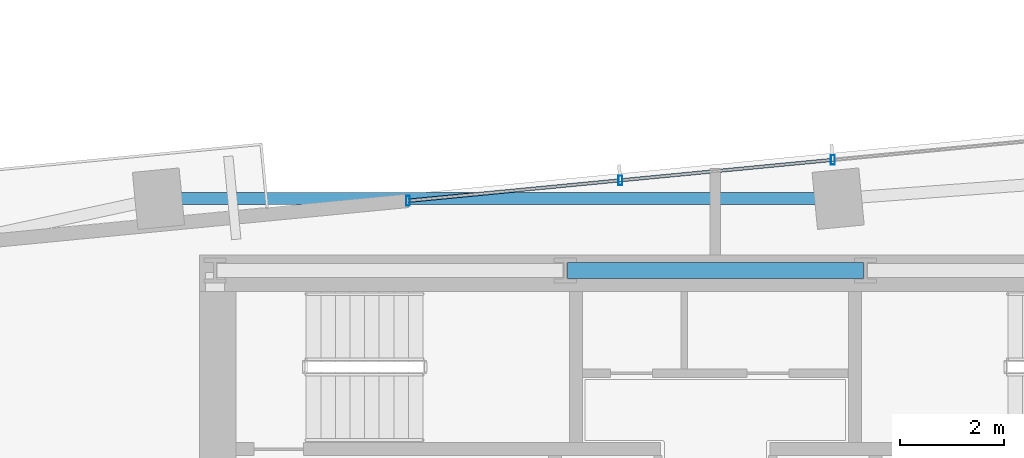
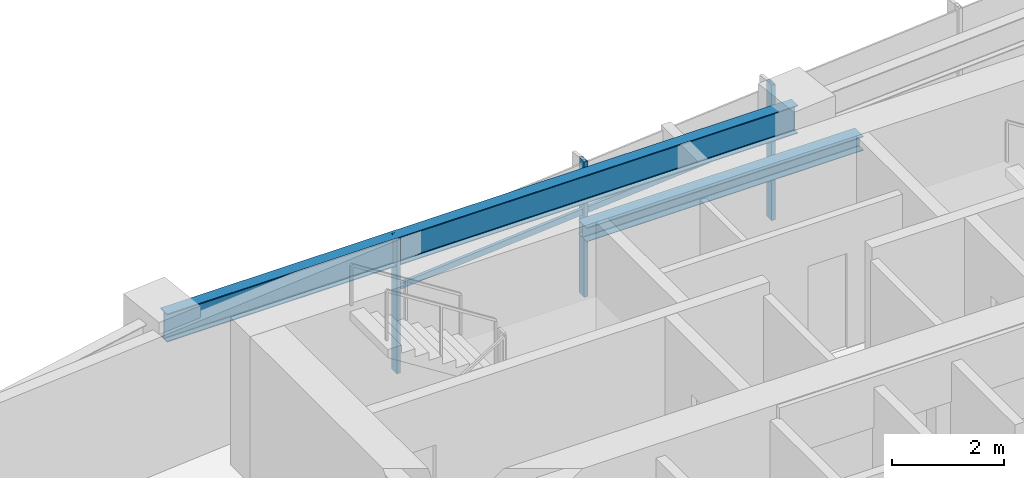
# One storey, part 10 of 27: 5 members, 2 beams, 1 element without a shape of its own.
"""IFC4 building model written with IfcOpenShell, lengths in metres."""

from ifc_helpers import new_model, si_unit, direction, frame, origin, origin_2d, place, context, subcontext, project, spatial, hollow_rectangle, i_section, extrude, source, transform, mapped, material, material_profile, profile_set, type_object, type_shapes, element, aggregate, save


model = new_model("IFC4")

# Units and contexts
model_context = context("Model", 3, precision=1e-05, world=origin(), true_north=direction((0.0, 1.0)))
body_context = subcontext(model_context, "Body", "Model", "MODEL_VIEW")
ifc_project = project(units=[si_unit("LENGTHUNIT", "METRE"), si_unit("AREAUNIT", "SQUARE_METRE"), si_unit("VOLUMEUNIT", "CUBIC_METRE"), si_unit("PLANEANGLEUNIT", "RADIAN"), si_unit("MASSUNIT", "GRAM", prefix="KILO")], contexts=[model_context])

# Site, building, storey
site_placement = place(None, origin())
site = spatial("IfcSite", under=ifc_project, at=site_placement, CompositionType="ELEMENT")
building_placement = place(site_placement, origin())
building = spatial("IfcBuilding", under=site, at=building_placement, Name="Astriad Promenade Condominiums", CompositionType="ELEMENT")
storey_placement = place(building_placement, frame((0.0, 0.0, 87.39990234375)))
storey = spatial("IfcBuildingStorey", under=building, at=storey_placement, Name="L24", CompositionType="ELEMENT", Elevation=87.39990234375)

# Beams
ifc_material_1 = material(Name="Steel ASTM A992 Grade 50", Category="steel")
ifc_material_profile_1 = material_profile(ifc_material_1, i_section(OverallWidth=0.3046875, OverallDepth=0.307861328125, WebThickness=0.010009765625, FlangeThickness=0.015380859375, FilletRadius=0.01513671875, at=origin_2d()), Name="W12X65")
ifc_profile_set_1 = profile_set([ifc_material_profile_1], Name="Steel ASTM A992 Grade 50")
beam_type_1 = type_object("IfcBeamType", Name="STEEL OPENING LINTEL W12X65", PredefinedType="LINTEL", material=ifc_profile_set_1)
shared_shape_1 = source(origin(), body_context, "Body", "SweptSolid", [
    extrude(i_section(OverallWidth=0.3046875, OverallDepth=0.307861328125, WebThickness=0.010009765625, FlangeThickness=0.015380859375, FilletRadius=0.01513671875, at=origin_2d()), origin(), (0.0, 0.0, 1.0), 5.68017578125),
])
type_shapes(beam_type_1, [shared_shape_1])
beam_1_placement = place(storey_placement, frame((33.159912109375, 24.0, 2.7861328125), z_axis=(1.0, 0.0, 0.0), x_axis=(0.0, 1.0, 0.0)))
element("IfcBeam", 1, at=beam_1_placement, inside=storey, type_object=beam_type_1, Name="Core Ring Beam CG-N2-L24", PredefinedType="LINTEL", context=body_context, shape_type="MappedRepresentation", body=[
    mapped(shared_shape_1, transform((0.0, 0.0, 0.0), scale=1.0)),
])
ifc_material_profile_2 = material_profile(ifc_material_1, i_section(OverallWidth=0.22900390625, OverallDepth=0.612060546875, WebThickness=0.011962890625, FlangeThickness=0.01953125, FilletRadius=0.017822265625, at=origin_2d()), Name="W24X84")
ifc_profile_set_2 = profile_set([ifc_material_profile_2], Name="Steel ASTM A992 Grade 50")
beam_type_2 = type_object("IfcBeamType", Name="STEEL SPANDREL BEAM W24X84", PredefinedType="SPANDREL", material=ifc_profile_set_2)
shared_shape_2 = source(origin(), body_context, "Body", "SweptSolid", [
    extrude(i_section(OverallWidth=0.22900390625, OverallDepth=0.612060546875, WebThickness=0.011962890625, FlangeThickness=0.01953125, FilletRadius=0.017822265625, at=origin_2d()), origin(), (0.0, 0.0, 1.0), 12.959716796875),
])
type_shapes(beam_type_2, [shared_shape_2])
beam_2_placement = place(storey_placement, frame((38.314697265625, 25.3798828125, 2.634033203125), z_axis=(-1.0, 0.0, 0.0), x_axis=(0.0, -1.0, 0.0)))
element("IfcBeam", 2, at=beam_2_placement, inside=storey, type_object=beam_type_2, Name="Perimeter Spandrel Beam SP-N2-L24", PredefinedType="SPANDREL", context=body_context, shape_type="MappedRepresentation", body=[
    mapped(shared_shape_2, transform((0.0, 0.0, 0.0), scale=1.0)),
])

# Curtain wall, members
ifc_material_2 = material(Name="Anodised aluminium Black Dark Glass Unitised", Category="aluminium")
curtain_wall_type = type_object("IfcCurtainWallType", Name="CW-B2-DARK", PredefinedType="USERDEFINED", material=ifc_material_2)
curtain_wall_placement = place(storey_placement, origin())
curtain_wall = element("IfcCurtainWall", 3, at=curtain_wall_placement, inside=storey, type_object=curtain_wall_type, Name="CW-L24-N", ObjectType="UNITISED_CURTAIN_WALL", PredefinedType="USERDEFINED")
ifc_material_3 = material(Name="Anodised aluminium 6063-T6 Black", Category="aluminium")
ifc_material_profile_3 = material_profile(ifc_material_3, hollow_rectangle(XDim=0.074951171875, YDim=0.18505859375, WallThickness=0.00439453125, at=origin_2d()), Name="ALU-MUL-75X185")
ifc_profile_set_3 = profile_set([ifc_material_profile_3], Name="Anodised aluminium 6063-T6 Black")
member_type_1 = type_object("IfcMemberType", Name="MUL-ALU-MUL-75X185", PredefinedType="MULLION", material=ifc_profile_set_3)
shared_shape_3 = source(origin(), body_context, "Body", "SweptSolid", [
    extrude(hollow_rectangle(XDim=0.074951171875, YDim=0.18505859375, WallThickness=0.00439453125, at=origin_2d()), origin(), (0.0, 0.0, 1.0), 2.940185546875),
])
type_shapes(member_type_1, [shared_shape_3])
member_1_placement = place(storey_placement, frame((30.101806640625, 25.339599609375, 0.0), z_axis=(0.0, 0.0, 1.0), x_axis=(1.0, 0.0, 0.0)))
member_1 = element("IfcMember", 4, at=member_1_placement, type_object=member_type_1, Name="CW-L24-N-MUL-00", PredefinedType="MULLION", context=body_context, shape_type="MappedRepresentation", body=[
    mapped(shared_shape_3, transform((0.0, 0.0, 0.0), scale=1.0)),
])
member_2_placement = place(storey_placement, frame((34.177734375, 25.732177734375, 0.0), z_axis=(0.0, 0.0, 1.0), x_axis=(1.0, 0.0, 0.0)))
member_2 = element("IfcMember", 5, at=member_2_placement, type_object=member_type_1, Name="CW-L24-N-MUL-01", PredefinedType="MULLION", context=body_context, shape_type="MappedRepresentation", body=[
    mapped(shared_shape_3, transform((0.0, 0.0, 0.0), scale=1.0)),
])
member_3_placement = place(storey_placement, frame((38.25390625, 26.12451171875, 0.0), z_axis=(0.0, 0.0, 1.0), x_axis=(1.0, 0.0, 0.0)))
member_3 = element("IfcMember", 6, at=member_3_placement, type_object=member_type_1, Name="CW-L24-N-MUL-02", PredefinedType="MULLION", context=body_context, shape_type="MappedRepresentation", body=[
    mapped(shared_shape_3, transform((0.0, 0.0, 0.0), scale=1.0)),
])
ifc_material_profile_4 = material_profile(ifc_material_3, hollow_rectangle(XDim=0.06494140625, YDim=0.1298828125, WallThickness=0.00390625, at=origin_2d()), Name="ALU-TRN-65X130")
ifc_profile_set_4 = profile_set([ifc_material_profile_4], Name="Anodised aluminium 6063-T6 Black")
member_type_2 = type_object("IfcMemberType", Name="TRN-ALU-TRN-65X130", PredefinedType="USERDEFINED", material=ifc_profile_set_4)
shared_shape_4 = source(origin(), body_context, "Body", "SweptSolid", [
    extrude(hollow_rectangle(XDim=0.06494140625, YDim=0.1298828125, WallThickness=0.00390625, at=origin_2d()), origin(), (0.0, 0.0, 1.0), 4.0947265625),
])
member_4_placement = place(storey_placement, frame((30.101806640625, 25.339599609375, 1.822998046875), z_axis=(0.995393613612, 0.095872592434, 0.0), x_axis=(-0.095872592434, 0.995393613612, 0.0)))
member_4 = element("IfcMember", 7, at=member_4_placement, type_object=member_type_2, Name="CW-L24-N-TRN-00-0", ObjectType="TRANSOM", PredefinedType="USERDEFINED", context=body_context, shape_type="MappedRepresentation", body=[
    mapped(shared_shape_4, transform((0.0, 0.0, 0.0), scale=1.0)),
])
shared_shape_5 = source(origin(), body_context, "Body", "SweptSolid", [
    extrude(hollow_rectangle(XDim=0.06494140625, YDim=0.1298828125, WallThickness=0.00390625, at=origin_2d()), origin(), (0.0, 0.0, 1.0), 4.094970703125),
])
type_shapes(member_type_2, [shared_shape_4, shared_shape_5])
member_5_placement = place(storey_placement, frame((34.177734375, 25.732177734375, 1.822998046875), z_axis=(0.995399849002, 0.095807831657, 0.0), x_axis=(-0.095807831657, 0.995399849002, 0.0)))
member_5 = element("IfcMember", 8, at=member_5_placement, type_object=member_type_2, Name="CW-L24-N-TRN-01-0", ObjectType="TRANSOM", PredefinedType="USERDEFINED", context=body_context, shape_type="MappedRepresentation", body=[
    mapped(shared_shape_5, transform((0.0, 0.0, 0.0), scale=1.0)),
])
aggregate(curtain_wall, [member_1, member_2, member_3, member_4, member_5])

save(model, "model.ifc")
